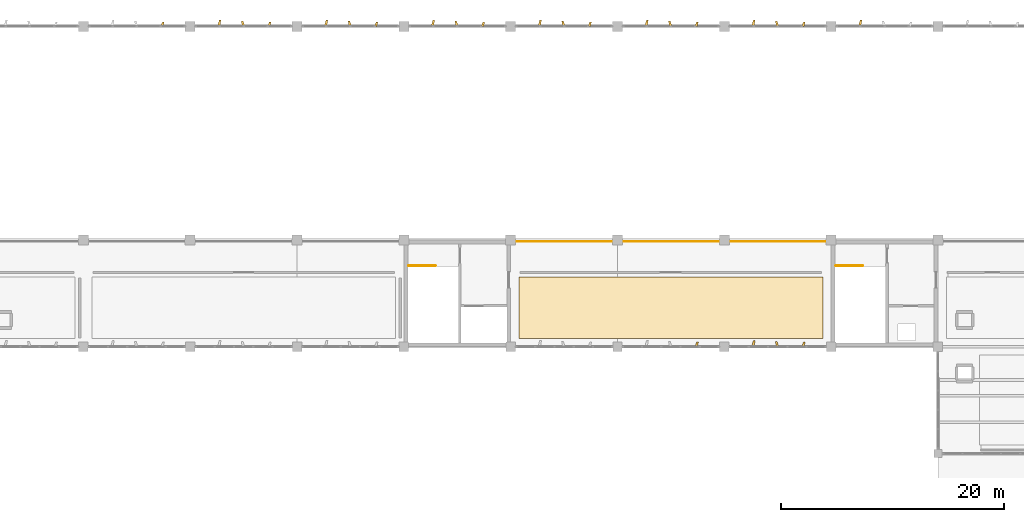
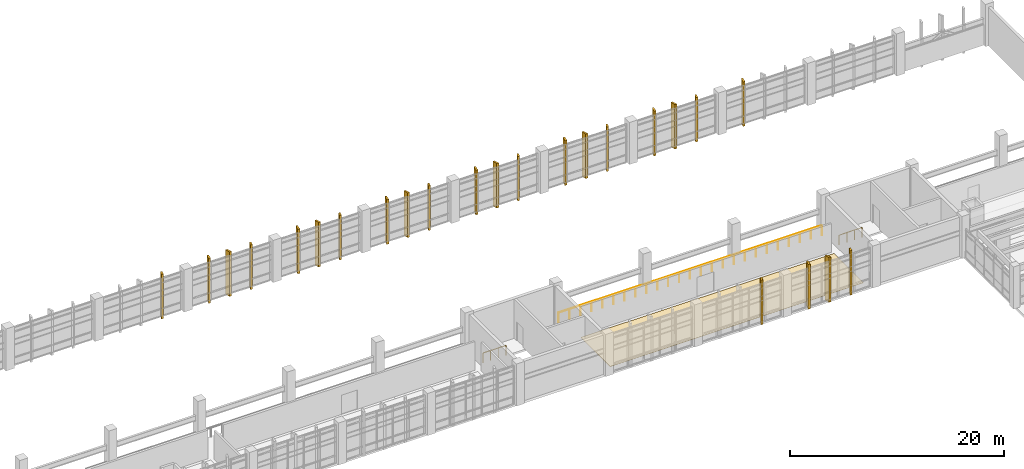
# One storey, part 82 of 86: 25 coverings, 3 railings.
"""IFC4 building model written with IfcOpenShell, lengths in metres."""

from ifc_helpers import new_model, si_unit, direction, frame, origin, origin_2d, place, context, subcontext, project, spatial, polyline, circle, outline, extrude, material, layer, layer_set, type_object, element, save


model = new_model("IFC4")

# Units and contexts
model_context = context("Model", 3, precision=1e-05, world=origin(), true_north=direction((0.0, 1.0)))
body_context = subcontext(model_context, "Body", "Model", "MODEL_VIEW")
ifc_project = project(units=[si_unit("LENGTHUNIT", "METRE"), si_unit("AREAUNIT", "SQUARE_METRE"), si_unit("VOLUMEUNIT", "CUBIC_METRE"), si_unit("PLANEANGLEUNIT", "RADIAN"), si_unit("MASSUNIT", "GRAM", prefix="KILO")], contexts=[model_context])

# Site, building, storey
site_placement = place(None, origin())
site = spatial("IfcSite", under=ifc_project, at=site_placement, CompositionType="ELEMENT")
building_placement = place(site_placement, origin())
building = spatial("IfcBuilding", under=site, at=building_placement, Name="Kolvemor Railside Polytechnic", CompositionType="ELEMENT")
storey_placement = place(building_placement, frame((0.0, 0.0, 5.39990234375)))
storey = spatial("IfcBuildingStorey", under=building, at=storey_placement, Name="L01", CompositionType="ELEMENT", Elevation=5.39990234375)

# Coverings
ifc_material_1 = material(Name="Champagne-bronze PVDF-anodised marine aluminium 5052-H32", Category="aluminium")
ifc_layer_1 = layer(ifc_material_1, 0.179931640625, Name="COV-FIN-CHAMP")
ifc_layer_set_1 = layer_set([ifc_layer_1], Name="Champagne-bronze PVDF-anodised marine aluminium 5052-H32")
covering_type_1 = type_object("IfcCoveringType", Name="COV-FIN-CHAMP", PredefinedType="CLADDING", material=ifc_layer_set_1)
covering_1_placement = place(storey_placement, frame((0.0, 0.0, -0.27978515625)))
element("IfcCovering", 1, at=covering_1_placement, inside=storey, type_object=covering_type_1, Name="Pleated Solar Fin L01-0048", PredefinedType="CLADDING", context=body_context, shape_type="SweptSolid", body=[
    extrude(outline(polyline([(112.534912109375, 91.1650390625), (112.764892578125, 91.1650390625), (112.8701171875, 91.60498046875), (112.7099609375, 91.60498046875), (112.534912109375, 91.1650390625)])), origin(), (0.0, 0.0, 1.0), 5.079833984375),
])
covering_2_placement = place(storey_placement, frame((0.0, 0.0, -0.27978515625)))
element("IfcCovering", 2, at=covering_2_placement, inside=storey, type_object=covering_type_1, Name="Pleated Solar Fin L01-0052", PredefinedType="CLADDING", context=body_context, shape_type="SweptSolid", body=[
    extrude(outline(polyline([(117.635009765625, 91.1650390625), (117.864990234375, 91.1650390625), (117.969970703125, 91.764892578125), (117.81005859375, 91.764892578125), (117.635009765625, 91.1650390625)])), origin(), (0.0, 0.0, 1.0), 5.079833984375),
])
covering_3_placement = place(storey_placement, frame((0.0, 0.0, -0.27978515625)))
element("IfcCovering", 3, at=covering_3_placement, inside=storey, type_object=covering_type_1, Name="Pleated Solar Fin L01-0053", PredefinedType="CLADDING", context=body_context, shape_type="SweptSolid", body=[
    extrude(outline(polyline([(119.885009765625, 91.1650390625), (120.114990234375, 91.1650390625), (119.93994140625, 91.68505859375), (119.780029296875, 91.68505859375), (119.885009765625, 91.1650390625)])), origin(), (0.0, 0.0, 1.0), 5.079833984375),
])
covering_4_placement = place(storey_placement, frame((0.0, 0.0, -0.27978515625)))
element("IfcCovering", 4, at=covering_4_placement, inside=storey, type_object=covering_type_1, Name="Pleated Solar Fin L01-0054", PredefinedType="CLADDING", context=body_context, shape_type="SweptSolid", body=[
    extrude(outline(polyline([(122.135009765625, 91.1650390625), (122.364990234375, 91.1650390625), (122.469970703125, 91.60498046875), (122.31005859375, 91.60498046875), (122.135009765625, 91.1650390625)])), origin(), (0.0, 0.0, 1.0), 5.079833984375),
])
ifc_material_2 = material(Name="Sea-mist PVDF-anodised marine aluminium 5052-H32", Category="aluminium")
ifc_layer_2 = layer(ifc_material_2, 0.159912109375, Name="COV-FIN-MIST")
ifc_layer_set_2 = layer_set([ifc_layer_2], Name="Sea-mist PVDF-anodised marine aluminium 5052-H32")
covering_type_2 = type_object("IfcCoveringType", Name="COV-FIN-MIST", PredefinedType="CLADDING", material=ifc_layer_set_2)
covering_5_placement = place(storey_placement, frame((0.0, 0.0, -0.27978515625)))
element("IfcCovering", 5, at=covering_5_placement, inside=storey, type_object=covering_type_2, Name="Pleated Solar Fin L01-0018", PredefinedType="CLADDING", context=body_context, shape_type="SweptSolid", body=[
    extrude(outline(polyline([(64.534912109375, 119.965087890625), (64.764892578125, 119.965087890625), (64.8701171875, 120.405029296875), (64.7099609375, 120.405029296875), (64.534912109375, 119.965087890625)])), origin(), (0.0, 0.0, 1.0), 5.079833984375),
])
covering_6_placement = place(storey_placement, frame((0.0, 0.0, -0.27978515625)))
element("IfcCovering", 6, at=covering_6_placement, inside=storey, type_object=covering_type_2, Name="Pleated Solar Fin L01-0022", PredefinedType="CLADDING", context=body_context, shape_type="SweptSolid", body=[
    extrude(outline(polyline([(69.635009765625, 119.965087890625), (69.864990234375, 119.965087890625), (69.969970703125, 120.56494140625), (69.81005859375, 120.56494140625), (69.635009765625, 119.965087890625)])), origin(), (0.0, 0.0, 1.0), 5.079833984375),
])
covering_7_placement = place(storey_placement, frame((0.0, 0.0, -0.27978515625)))
element("IfcCovering", 7, at=covering_7_placement, inside=storey, type_object=covering_type_2, Name="Pleated Solar Fin L01-0023", PredefinedType="CLADDING", context=body_context, shape_type="SweptSolid", body=[
    extrude(outline(polyline([(71.885009765625, 119.965087890625), (72.114990234375, 119.965087890625), (71.93994140625, 120.485107421875), (71.780029296875, 120.485107421875), (71.885009765625, 119.965087890625)])), origin(), (0.0, 0.0, 1.0), 5.079833984375),
])
covering_8_placement = place(storey_placement, frame((0.0, 0.0, -0.27978515625)))
element("IfcCovering", 8, at=covering_8_placement, inside=storey, type_object=covering_type_2, Name="Pleated Solar Fin L01-0024", PredefinedType="CLADDING", context=body_context, shape_type="SweptSolid", body=[
    extrude(outline(polyline([(74.135009765625, 119.965087890625), (74.364990234375, 119.965087890625), (74.469970703125, 120.405029296875), (74.31005859375, 120.405029296875), (74.135009765625, 119.965087890625)])), origin(), (0.0, 0.0, 1.0), 5.079833984375),
])
covering_9_placement = place(storey_placement, frame((0.0, 0.0, -0.27978515625)))
element("IfcCovering", 9, at=covering_9_placement, inside=storey, type_object=covering_type_2, Name="Pleated Solar Fin L01-0028", PredefinedType="CLADDING", context=body_context, shape_type="SweptSolid", body=[
    extrude(outline(polyline([(79.235107421875, 119.965087890625), (79.465087890625, 119.965087890625), (79.570068359375, 120.56494140625), (79.409912109375, 120.56494140625), (79.235107421875, 119.965087890625)])), origin(), (0.0, 0.0, 1.0), 5.079833984375),
])
covering_10_placement = place(storey_placement, frame((0.0, 0.0, -0.27978515625)))
element("IfcCovering", 10, at=covering_10_placement, inside=storey, type_object=covering_type_2, Name="Pleated Solar Fin L01-0029", PredefinedType="CLADDING", context=body_context, shape_type="SweptSolid", body=[
    extrude(outline(polyline([(81.485107421875, 119.965087890625), (81.715087890625, 119.965087890625), (81.5400390625, 120.485107421875), (81.3798828125, 120.485107421875), (81.485107421875, 119.965087890625)])), origin(), (0.0, 0.0, 1.0), 5.079833984375),
])
covering_11_placement = place(storey_placement, frame((0.0, 0.0, -0.27978515625)))
element("IfcCovering", 11, at=covering_11_placement, inside=storey, type_object=covering_type_2, Name="Pleated Solar Fin L01-0030", PredefinedType="CLADDING", context=body_context, shape_type="SweptSolid", body=[
    extrude(outline(polyline([(83.735107421875, 119.965087890625), (83.965087890625, 119.965087890625), (84.070068359375, 120.405029296875), (83.909912109375, 120.405029296875), (83.735107421875, 119.965087890625)])), origin(), (0.0, 0.0, 1.0), 5.079833984375),
])
covering_12_placement = place(storey_placement, frame((0.0, 0.0, -0.27978515625)))
element("IfcCovering", 12, at=covering_12_placement, inside=storey, type_object=covering_type_2, Name="Pleated Solar Fin L01-0034", PredefinedType="CLADDING", context=body_context, shape_type="SweptSolid", body=[
    extrude(outline(polyline([(88.8349609375, 119.965087890625), (89.06494140625, 119.965087890625), (89.169921875, 120.56494140625), (89.010009765625, 120.56494140625), (88.8349609375, 119.965087890625)])), origin(), (0.0, 0.0, 1.0), 5.079833984375),
])
covering_13_placement = place(storey_placement, frame((0.0, 0.0, -0.27978515625)))
element("IfcCovering", 13, at=covering_13_placement, inside=storey, type_object=covering_type_2, Name="Pleated Solar Fin L01-0035", PredefinedType="CLADDING", context=body_context, shape_type="SweptSolid", body=[
    extrude(outline(polyline([(91.0849609375, 119.965087890625), (91.31494140625, 119.965087890625), (91.139892578125, 120.485107421875), (90.97998046875, 120.485107421875), (91.0849609375, 119.965087890625)])), origin(), (0.0, 0.0, 1.0), 5.079833984375),
])
covering_14_placement = place(storey_placement, frame((0.0, 0.0, -0.27978515625)))
element("IfcCovering", 14, at=covering_14_placement, inside=storey, type_object=covering_type_2, Name="Pleated Solar Fin L01-0036", PredefinedType="CLADDING", context=body_context, shape_type="SweptSolid", body=[
    extrude(outline(polyline([(93.3349609375, 119.965087890625), (93.56494140625, 119.965087890625), (93.669921875, 120.405029296875), (93.510009765625, 120.405029296875), (93.3349609375, 119.965087890625)])), origin(), (0.0, 0.0, 1.0), 5.079833984375),
])
covering_15_placement = place(storey_placement, frame((0.0, 0.0, -0.27978515625)))
element("IfcCovering", 15, at=covering_15_placement, inside=storey, type_object=covering_type_2, Name="Pleated Solar Fin L01-0037", PredefinedType="CLADDING", context=body_context, shape_type="SweptSolid", body=[
    extrude(outline(polyline([(98.43505859375, 119.965087890625), (98.6650390625, 119.965087890625), (98.77001953125, 120.56494140625), (98.610107421875, 120.56494140625), (98.43505859375, 119.965087890625)])), origin(), (0.0, 0.0, 1.0), 5.079833984375),
])
covering_16_placement = place(storey_placement, frame((0.0, 0.0, -0.27978515625)))
element("IfcCovering", 16, at=covering_16_placement, inside=storey, type_object=covering_type_2, Name="Pleated Solar Fin L01-0038", PredefinedType="CLADDING", context=body_context, shape_type="SweptSolid", body=[
    extrude(outline(polyline([(100.68505859375, 119.965087890625), (100.9150390625, 119.965087890625), (100.739990234375, 120.485107421875), (100.580078125, 120.485107421875), (100.68505859375, 119.965087890625)])), origin(), (0.0, 0.0, 1.0), 5.079833984375),
])
covering_17_placement = place(storey_placement, frame((0.0, 0.0, -0.27978515625)))
element("IfcCovering", 17, at=covering_17_placement, inside=storey, type_object=covering_type_2, Name="Pleated Solar Fin L01-0039", PredefinedType="CLADDING", context=body_context, shape_type="SweptSolid", body=[
    extrude(outline(polyline([(102.93505859375, 119.965087890625), (103.1650390625, 119.965087890625), (103.27001953125, 120.405029296875), (103.110107421875, 120.405029296875), (102.93505859375, 119.965087890625)])), origin(), (0.0, 0.0, 1.0), 5.079833984375),
])
covering_18_placement = place(storey_placement, frame((0.0, 0.0, -0.27978515625)))
element("IfcCovering", 18, at=covering_18_placement, inside=storey, type_object=covering_type_2, Name="Pleated Solar Fin L01-0043", PredefinedType="CLADDING", context=body_context, shape_type="SweptSolid", body=[
    extrude(outline(polyline([(108.034912109375, 119.965087890625), (108.264892578125, 119.965087890625), (108.3701171875, 120.56494140625), (108.2099609375, 120.56494140625), (108.034912109375, 119.965087890625)])), origin(), (0.0, 0.0, 1.0), 5.079833984375),
])
covering_19_placement = place(storey_placement, frame((0.0, 0.0, -0.27978515625)))
element("IfcCovering", 19, at=covering_19_placement, inside=storey, type_object=covering_type_2, Name="Pleated Solar Fin L01-0044", PredefinedType="CLADDING", context=body_context, shape_type="SweptSolid", body=[
    extrude(outline(polyline([(110.284912109375, 119.965087890625), (110.514892578125, 119.965087890625), (110.340087890625, 120.485107421875), (110.179931640625, 120.485107421875), (110.284912109375, 119.965087890625)])), origin(), (0.0, 0.0, 1.0), 5.079833984375),
])
covering_20_placement = place(storey_placement, frame((0.0, 0.0, -0.27978515625)))
element("IfcCovering", 20, at=covering_20_placement, inside=storey, type_object=covering_type_2, Name="Pleated Solar Fin L01-0045", PredefinedType="CLADDING", context=body_context, shape_type="SweptSolid", body=[
    extrude(outline(polyline([(112.534912109375, 119.965087890625), (112.764892578125, 119.965087890625), (112.8701171875, 120.405029296875), (112.7099609375, 120.405029296875), (112.534912109375, 119.965087890625)])), origin(), (0.0, 0.0, 1.0), 5.079833984375),
])
covering_21_placement = place(storey_placement, frame((0.0, 0.0, -0.27978515625)))
element("IfcCovering", 21, at=covering_21_placement, inside=storey, type_object=covering_type_2, Name="Pleated Solar Fin L01-0049", PredefinedType="CLADDING", context=body_context, shape_type="SweptSolid", body=[
    extrude(outline(polyline([(117.635009765625, 119.965087890625), (117.864990234375, 119.965087890625), (117.969970703125, 120.56494140625), (117.81005859375, 120.56494140625), (117.635009765625, 119.965087890625)])), origin(), (0.0, 0.0, 1.0), 5.079833984375),
])
covering_22_placement = place(storey_placement, frame((0.0, 0.0, -0.27978515625)))
element("IfcCovering", 22, at=covering_22_placement, inside=storey, type_object=covering_type_2, Name="Pleated Solar Fin L01-0050", PredefinedType="CLADDING", context=body_context, shape_type="SweptSolid", body=[
    extrude(outline(polyline([(119.885009765625, 119.965087890625), (120.114990234375, 119.965087890625), (119.93994140625, 120.485107421875), (119.780029296875, 120.485107421875), (119.885009765625, 119.965087890625)])), origin(), (0.0, 0.0, 1.0), 5.079833984375),
])
covering_23_placement = place(storey_placement, frame((0.0, 0.0, -0.27978515625)))
element("IfcCovering", 23, at=covering_23_placement, inside=storey, type_object=covering_type_2, Name="Pleated Solar Fin L01-0051", PredefinedType="CLADDING", context=body_context, shape_type="SweptSolid", body=[
    extrude(outline(polyline([(122.135009765625, 119.965087890625), (122.364990234375, 119.965087890625), (122.469970703125, 120.405029296875), (122.31005859375, 120.405029296875), (122.135009765625, 119.965087890625)])), origin(), (0.0, 0.0, 1.0), 5.079833984375),
])
covering_24_placement = place(storey_placement, frame((0.0, 0.0, -0.27978515625)))
element("IfcCovering", 24, at=covering_24_placement, inside=storey, type_object=covering_type_2, Name="Pleated Solar Fin L01-0055", PredefinedType="CLADDING", context=body_context, shape_type="SweptSolid", body=[
    extrude(outline(polyline([(127.235107421875, 119.965087890625), (127.465087890625, 119.965087890625), (127.570068359375, 120.56494140625), (127.409912109375, 120.56494140625), (127.235107421875, 119.965087890625)])), origin(), (0.0, 0.0, 1.0), 5.079833984375),
])
ifc_material_3 = material(Name="Polished coral-aggregate terrazzo and laboratory epoxy flooring")
ifc_layer_3 = layer(ifc_material_3, 0.030029296875, Name="COV-FLR-3")
ifc_layer_set_3 = layer_set([ifc_layer_3], Name="Polished coral-aggregate terrazzo and laboratory epoxy flooring")
covering_type_3 = type_object("IfcCoveringType", Name="COV-FLR-3", PredefinedType="FLOORING", material=ifc_layer_set_3)
covering_25_placement = place(storey_placement, origin())
element("IfcCovering", 25, at=covering_25_placement, inside=storey, type_object=covering_type_3, Name="Marine Composites Engineering Workshop Floor Finish", PredefinedType="FLOORING", context=body_context, shape_type="SweptSolid", body=[
    extrude(outline(polyline([(96.75, 91.949951171875), (124.050048828125, 91.949951171875), (124.050048828125, 97.449951171875), (96.75, 97.449951171875), (96.75, 91.949951171875)])), origin(), (0.0, 0.0, 1.0), 0.030029296875),
])

# Railings
ifc_material_4 = material(Name="AISI 316 marine stainless-steel balustrade guard", Category="steel")
railing_type = type_object("IfcRailingType", Name="RLG-GUARD-1120", PredefinedType="BALUSTRADE", material=ifc_material_4)
railing_placement = place(storey_placement, frame((96.199951171875, 100.64990234375, 0.0)))
element("IfcRailing", 26, at=railing_placement, inside=storey, type_object=railing_type, Name="Crane Gallery Mid Guard GR-066", PredefinedType="BALUSTRADE", context=body_context, shape_type="SweptSolid", body=[
    extrude(circle(Radius=0.02392578125, at=origin_2d()), frame((0.054931640625, 0.0, 1.09619140625), z_axis=(1.0, 0.0, 0.0), x_axis=(0.0, 1.0, 0.0)), (0.0, 0.0, 1.0), 28.2900390625),
    extrude(circle(Radius=0.02099609375, at=origin_2d()), origin(), (0.0, 0.0, 1.0), 1.05712890625),
    extrude(circle(Radius=0.02099609375, at=origin_2d()), frame((1.183349609375, 0.0, 0.0)), (0.0, 0.0, 1.0), 1.05712890625),
    extrude(circle(Radius=0.02099609375, at=origin_2d()), frame((2.36669921875, 0.0, 0.0)), (0.0, 0.0, 1.0), 1.05712890625),
    extrude(circle(Radius=0.02099609375, at=origin_2d()), frame((3.550048828125, 0.0, 0.0)), (0.0, 0.0, 1.0), 1.05712890625),
    extrude(circle(Radius=0.02099609375, at=origin_2d()), frame((4.7333984375, 0.0, 0.0)), (0.0, 0.0, 1.0), 1.05712890625),
    extrude(circle(Radius=0.02099609375, at=origin_2d()), frame((5.916748046875, 0.0, 0.0)), (0.0, 0.0, 1.0), 1.05712890625),
    extrude(circle(Radius=0.02099609375, at=origin_2d()), frame((7.10009765625, 0.0, 0.0)), (0.0, 0.0, 1.0), 1.05712890625),
    extrude(circle(Radius=0.02099609375, at=origin_2d()), frame((8.283447265625, 0.0, 0.0)), (0.0, 0.0, 1.0), 1.05712890625),
    extrude(circle(Radius=0.02099609375, at=origin_2d()), frame((9.466796875, 0.0, 0.0)), (0.0, 0.0, 1.0), 1.05712890625),
    extrude(circle(Radius=0.02099609375, at=origin_2d()), frame((10.650146484375, 0.0, 0.0)), (0.0, 0.0, 1.0), 1.05712890625),
    extrude(circle(Radius=0.02099609375, at=origin_2d()), frame((11.83349609375, 0.0, 0.0)), (0.0, 0.0, 1.0), 1.05712890625),
    extrude(circle(Radius=0.02099609375, at=origin_2d()), frame((13.016845703125, 0.0, 0.0)), (0.0, 0.0, 1.0), 1.05712890625),
    extrude(circle(Radius=0.02099609375, at=origin_2d()), frame((14.2001953125, 0.0, 0.0)), (0.0, 0.0, 1.0), 1.05712890625),
    extrude(circle(Radius=0.02099609375, at=origin_2d()), frame((15.38330078125, 0.0, 0.0)), (0.0, 0.0, 1.0), 1.05712890625),
    extrude(circle(Radius=0.02099609375, at=origin_2d()), frame((16.566650390625, 0.0, 0.0)), (0.0, 0.0, 1.0), 1.05712890625),
    extrude(circle(Radius=0.02099609375, at=origin_2d()), frame((17.75, 0.0, 0.0)), (0.0, 0.0, 1.0), 1.05712890625),
    extrude(circle(Radius=0.02099609375, at=origin_2d()), frame((18.933349609375, 0.0, 0.0)), (0.0, 0.0, 1.0), 1.05712890625),
    extrude(circle(Radius=0.02099609375, at=origin_2d()), frame((20.11669921875, 0.0, 0.0)), (0.0, 0.0, 1.0), 1.05712890625),
    extrude(circle(Radius=0.02099609375, at=origin_2d()), frame((21.300048828125, 0.0, 0.0)), (0.0, 0.0, 1.0), 1.05712890625),
    extrude(circle(Radius=0.02099609375, at=origin_2d()), frame((22.4833984375, 0.0, 0.0)), (0.0, 0.0, 1.0), 1.05712890625),
    extrude(circle(Radius=0.02099609375, at=origin_2d()), frame((23.666748046875, 0.0, 0.0)), (0.0, 0.0, 1.0), 1.05712890625),
    extrude(circle(Radius=0.02099609375, at=origin_2d()), frame((24.85009765625, 0.0, 0.0)), (0.0, 0.0, 1.0), 1.05712890625),
    extrude(circle(Radius=0.02099609375, at=origin_2d()), frame((26.033447265625, 0.0, 0.0)), (0.0, 0.0, 1.0), 1.05712890625),
    extrude(circle(Radius=0.02099609375, at=origin_2d()), frame((27.216796875, 0.0, 0.0)), (0.0, 0.0, 1.0), 1.05712890625),
    extrude(circle(Radius=0.02099609375, at=origin_2d()), frame((28.400146484375, 0.0, 0.0)), (0.0, 0.0, 1.0), 1.05712890625),
])
for number, where, name in (
    (27, (86.800048828125, 98.47998046875, 0.0), "ST-8 Top Well Guard L01"),
    (28, (125.199951171875, 98.47998046875, 0.0), "ST-9 Top Well Guard L01"),
):
    element("IfcRailing", number, at=place(storey_placement, frame(where)), inside=storey, type_object=railing_type, Name=name, PredefinedType="BALUSTRADE", context=body_context, shape_type="SweptSolid", body=[
        extrude(circle(Radius=0.02392578125, at=origin_2d()), frame((0.054931640625, 0.0, 1.09619140625), z_axis=(1.0, 0.0, 0.0), x_axis=(0.0, 1.0, 0.0)), (0.0, 0.0, 1.0), 2.369873046875),
        extrude(circle(Radius=0.02099609375, at=origin_2d()), origin(), (0.0, 0.0, 1.0), 1.05712890625),
        extrude(circle(Radius=0.02099609375, at=origin_2d()), frame((0.82666015625, 0.0, 0.0)), (0.0, 0.0, 1.0), 1.05712890625),
        extrude(circle(Radius=0.02099609375, at=origin_2d()), frame((1.6533203125, 0.0, 0.0)), (0.0, 0.0, 1.0), 1.05712890625),
        extrude(circle(Radius=0.02099609375, at=origin_2d()), frame((2.47998046875, 0.0, 0.0)), (0.0, 0.0, 1.0), 1.05712890625),
    ])

save(model, "model.ifc")
